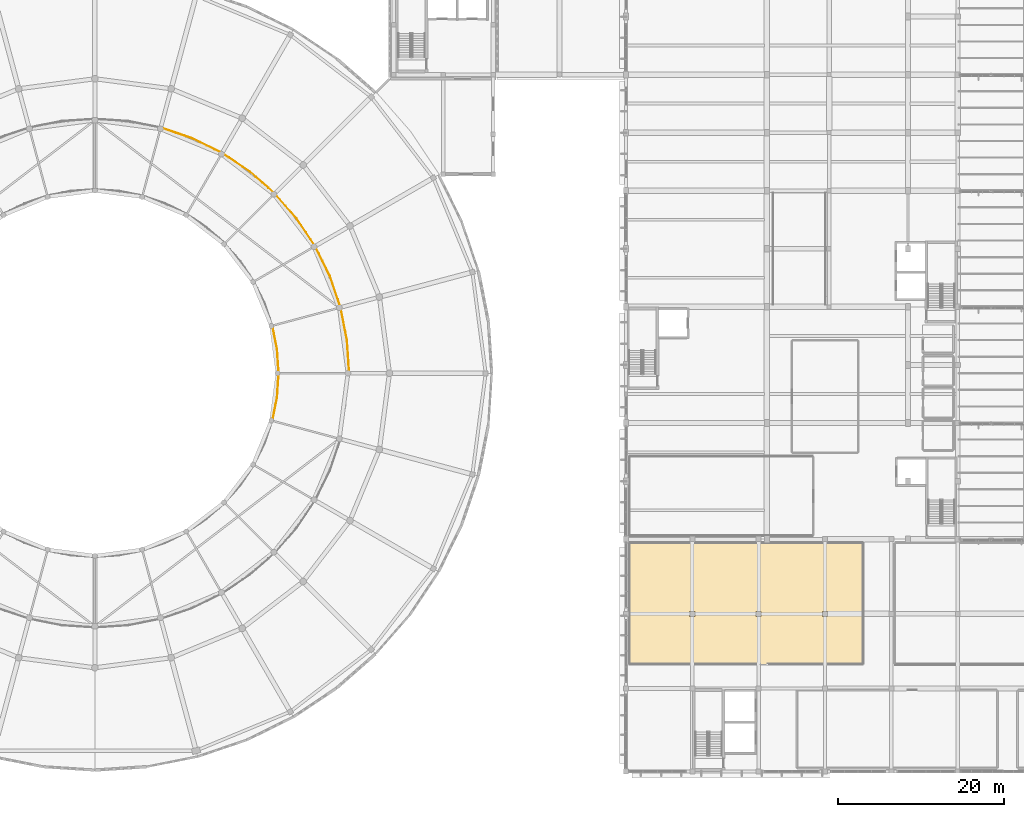
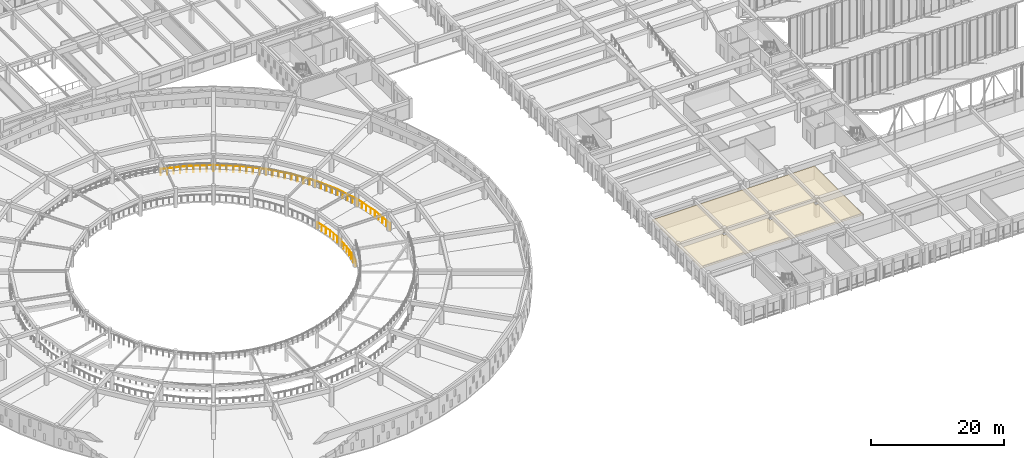
# One storey, part 132 of 155: 2 railings, 1 covering.
"""IFC4 building model written with IfcOpenShell, lengths in metres."""

from ifc_helpers import new_model, si_unit, direction, frame, origin, origin_2d, place, context, subcontext, project, spatial, polyline, circle, outline, extrude, material, layer, layer_set, type_object, element, save


model = new_model("IFC4")

# Units and contexts
model_context = context("Model", 3, precision=1e-05, world=origin(), true_north=direction((0.0, 1.0)))
body_context = subcontext(model_context, "Body", "Model", "MODEL_VIEW")
ifc_project = project(units=[si_unit("LENGTHUNIT", "METRE"), si_unit("AREAUNIT", "SQUARE_METRE"), si_unit("VOLUMEUNIT", "CUBIC_METRE"), si_unit("PLANEANGLEUNIT", "RADIAN"), si_unit("MASSUNIT", "GRAM", prefix="KILO")], contexts=[model_context])

# Site, building, storey
site_placement = place(None, origin())
site = spatial("IfcSite", under=ifc_project, at=site_placement, CompositionType="ELEMENT")
building_placement = place(site_placement, origin())
building = spatial("IfcBuilding", under=site, at=building_placement, Name="Larkveld Mobility Hub", CompositionType="ELEMENT")
storey_placement = place(building_placement, frame((0.0, 0.0, 8.39990234375)))
storey = spatial("IfcBuildingStorey", under=building, at=storey_placement, Name="L02", CompositionType="ELEMENT", Elevation=8.39990234375)

# Covering
ifc_material_1 = material(Name="Perforated mineral-fibre acoustic ceiling", Category="masonry")
ifc_layer = layer(ifc_material_1, 0.02001953125, Name="Perforated mineral-fibre acoustic ceiling", Category="masonry")
ifc_layer_set = layer_set([ifc_layer], Name="Perforated mineral-fibre acoustic ceiling")
covering_type = type_object("IfcCoveringType", Name="CV-CLG-020", PredefinedType="CEILING", material=ifc_layer_set)
covering_placement = place(storey_placement, frame((0.0, 0.0, 2.330078125)))
element("IfcCovering", 1, at=covering_placement, inside=storey, type_object=covering_type, Name="Integrated Transit Operations Control Centre Acoustic Ceiling 032", PredefinedType="CEILING", context=body_context, shape_type="SweptSolid", body=[
    extrude(outline(polyline([(112.4169921875, 12.8701171875), (112.4140625, 12.87109375), (112.410888671875, 12.87109375), (112.408935546875, 12.8720703125), (112.406005859375, 12.8740234375), (112.403076171875, 12.875), (112.40087890625, 12.876953125), (112.39892578125, 12.87890625), (112.37890625, 12.89892578125), (112.376953125, 12.90087890625), (112.375, 12.903076171875), (112.3740234375, 12.906005859375), (112.3720703125, 12.908935546875), (112.37109375, 12.910888671875), (112.37109375, 12.9140625), (112.3701171875, 12.9169921875), (112.3701171875, 12.919921875), (112.3701171875, 27.580078125), (112.3701171875, 27.5830078125), (112.37109375, 27.5859375), (112.3720703125, 27.590087890625), (112.373046875, 27.593017578125), (112.3740234375, 27.594970703125), (112.385009765625, 27.613037109375), (112.386962890625, 27.615966796875), (112.388916015625, 27.617919921875), (112.39111328125, 27.6201171875), (112.39306640625, 27.6220703125), (112.39599609375, 27.6240234375), (112.39892578125, 27.625), (112.40087890625, 27.6259765625), (112.404052734375, 27.626953125), (112.406982421875, 27.626953125), (112.410888671875, 27.6279296875), (128.695068359375, 27.62890625), (128.695068359375, 27.594970703125), (129.304931640625, 27.594970703125), (129.304931640625, 27.62890625), (140.580078125, 27.6298828125), (140.5830078125, 27.6298828125), (140.5849609375, 27.6298828125), (140.587890625, 27.62890625), (140.591064453125, 27.6279296875), (140.593017578125, 27.626953125), (140.594970703125, 27.6259765625), (140.613037109375, 27.614990234375), (140.615966796875, 27.613037109375), (140.617919921875, 27.611083984375), (140.6201171875, 27.60888671875), (140.6220703125, 27.60693359375), (140.6240234375, 27.60400390625), (140.625, 27.60107421875), (140.6259765625, 27.59912109375), (140.626953125, 27.595947265625), (140.626953125, 27.593017578125), (140.6279296875, 27.589111328125), (140.6298828125, 12.919921875), (140.6298828125, 12.9169921875), (140.6298828125, 12.9150390625), (140.62890625, 12.912109375), (140.6279296875, 12.908935546875), (140.626953125, 12.906982421875), (140.6259765625, 12.905029296875), (140.614990234375, 12.886962890625), (140.613037109375, 12.884033203125), (140.611083984375, 12.882080078125), (140.60888671875, 12.8798828125), (140.60693359375, 12.8779296875), (140.60400390625, 12.8759765625), (140.60107421875, 12.875), (140.59912109375, 12.8740234375), (140.595947265625, 12.873046875), (140.593017578125, 12.873046875), (140.589111328125, 12.8720703125), (112.419921875, 12.8701171875), (112.4169921875, 12.8701171875)]), holes=[polyline([(119.695068359375, 19.304931640625), (119.695068359375, 18.695068359375), (120.304931640625, 18.695068359375), (120.304931640625, 19.304931640625), (119.695068359375, 19.304931640625)]), polyline([(127.695068359375, 19.304931640625), (127.695068359375, 18.695068359375), (128.304931640625, 18.695068359375), (128.304931640625, 19.304931640625), (127.695068359375, 19.304931640625)]), polyline([(135.695068359375, 19.304931640625), (135.695068359375, 18.695068359375), (136.304931640625, 18.695068359375), (136.304931640625, 19.304931640625), (135.695068359375, 19.304931640625)])]), origin(), (0.0, 0.0, 1.0), 0.02001953125),
])

# Railings
ifc_material_2 = material(Name="Anodized aluminium 6063-T6 balustrade", Category="aluminium")
railing_type_1 = type_object("IfcRailingType", Name="RL-GRD-1150", PredefinedType="GUARDRAIL", material=ifc_material_2)
railing_1_placement = place(storey_placement, frame((78.64990234375, 48.0, 0.0)))
element("IfcRailing", 2, at=railing_1_placement, inside=storey, type_object=railing_type_1, Name="Drum Ramp Well Guardrail L02-042", PredefinedType="GUARDRAIL", context=body_context, shape_type="SweptSolid", body=[
    extrude(circle(Radius=0.02392578125, at=origin_2d()), frame((0.0, 0.0, 1.1259765625), z_axis=(-0.065334844062, 0.997863396539, 0.0), x_axis=(-0.997863396539, -0.065334844062, 0.0)), (0.0, 0.0, 1.0), 4.009521484375),
    extrude(circle(Radius=0.02392578125, at=origin_2d()), frame((-0.261962890625, 4.0009765625, 1.1259765625), z_axis=(-0.195050336869, 0.980793233096, 0.0), x_axis=(-0.980793233096, -0.195050336869, 0.0)), (0.0, 0.0, 1.0), 4.009033203125),
    extrude(circle(Radius=0.02392578125, at=origin_2d()), frame((-1.0439453125, 7.93310546875, 1.1259765625), z_axis=(-0.321557700371, 0.946889985865, 0.0), x_axis=(-0.946889985865, -0.321557700371, 0.0)), (0.0, 0.0, 1.0), 4.0087890625),
    extrude(circle(Radius=0.02392578125, at=origin_2d()), frame((-2.3330078125, 11.72900390625, 1.1259765625), z_axis=(-0.442213306217, 0.89690991287, 0.0), x_axis=(-0.89690991287, -0.442213306217, 0.0)), (0.0, 0.0, 1.0), 4.00927734375),
    extrude(circle(Radius=0.02392578125, at=origin_2d()), frame((-4.10595703125, 15.324951171875, 1.1259765625), z_axis=(-0.555627161516, 0.831431571078, 0.0), x_axis=(-0.831431571078, -0.555627161516, 0.0)), (0.0, 0.0, 1.0), 4.010009765625),
    extrude(circle(Radius=0.02392578125, at=origin_2d()), frame((-6.333984375, 18.658935546875, 1.1259765625), z_axis=(-0.65927174728, 0.75190475676, 0.0), x_axis=(-0.75190475676, -0.65927174728, 0.0)), (0.0, 0.0, 1.0), 4.0087890625),
    extrude(circle(Radius=0.02392578125, at=origin_2d()), frame((-8.976806640625, 21.673095703125, 1.1259765625), z_axis=(-0.75190475676, 0.65927174728, 0.0), x_axis=(-0.65927174728, -0.75190475676, 0.0)), (0.0, 0.0, 1.0), 4.0087890625),
    extrude(circle(Radius=0.02392578125, at=origin_2d()), frame((-11.990966796875, 24.31591796875, 1.1259765625), z_axis=(-0.831431571078, 0.555627161516, 0.0), x_axis=(-0.555627161516, -0.831431571078, 0.0)), (0.0, 0.0, 1.0), 4.010009765625),
    extrude(circle(Radius=0.02392578125, at=origin_2d()), frame((-15.324951171875, 26.5439453125, 1.1259765625), z_axis=(-0.89690991287, 0.442213306217, 0.0), x_axis=(-0.442213306217, -0.89690991287, 0.0)), (0.0, 0.0, 1.0), 4.00927734375),
    extrude(circle(Radius=0.02392578125, at=origin_2d()), frame((-18.9208984375, 28.31689453125, 1.1259765625), z_axis=(-0.946889985865, 0.321557700371, 0.0), x_axis=(-0.321557700371, -0.946889985865, 0.0)), (0.0, 0.0, 1.0), 4.0087890625),
    extrude(circle(Radius=0.02099609375, at=origin_2d()), origin(), (0.0, 0.0, 1.0), 1.101806640625),
    extrude(circle(Radius=0.02099609375, at=origin_2d()), frame((-0.0654296875, 1.000244140625, 0.0)), (0.0, 0.0, 1.0), 1.101806640625),
    extrude(circle(Radius=0.02099609375, at=origin_2d()), frame((-0.130859375, 2.00048828125, 0.0)), (0.0, 0.0, 1.0), 1.101806640625),
    extrude(circle(Radius=0.02099609375, at=origin_2d()), frame((-0.196533203125, 3.000732421875, 0.0)), (0.0, 0.0, 1.0), 1.101806640625),
    extrude(circle(Radius=0.02099609375, at=origin_2d()), frame((-0.261962890625, 4.0009765625, 0.0)), (0.0, 0.0, 1.0), 1.101806640625),
    extrude(circle(Radius=0.02099609375, at=origin_2d()), frame((-0.45751953125, 4.98388671875, 0.0)), (0.0, 0.0, 1.0), 1.101806640625),
    extrude(circle(Radius=0.02099609375, at=origin_2d()), frame((-0.65283203125, 5.967041015625, 0.0)), (0.0, 0.0, 1.0), 1.101806640625),
    extrude(circle(Radius=0.02099609375, at=origin_2d()), frame((-0.848388671875, 6.9501953125, 0.0)), (0.0, 0.0, 1.0), 1.101806640625),
    extrude(circle(Radius=0.02099609375, at=origin_2d()), frame((-1.0439453125, 7.93310546875, 0.0)), (0.0, 0.0, 1.0), 1.101806640625),
    extrude(circle(Radius=0.02099609375, at=origin_2d()), frame((-1.3662109375, 8.882080078125, 0.0)), (0.0, 0.0, 1.0), 1.101806640625),
    extrude(circle(Radius=0.02099609375, at=origin_2d()), frame((-1.6884765625, 9.8310546875, 0.0)), (0.0, 0.0, 1.0), 1.101806640625),
    extrude(circle(Radius=0.02099609375, at=origin_2d()), frame((-2.0107421875, 10.780029296875, 0.0)), (0.0, 0.0, 1.0), 1.101806640625),
    extrude(circle(Radius=0.02099609375, at=origin_2d()), frame((-2.3330078125, 11.72900390625, 0.0)), (0.0, 0.0, 1.0), 1.101806640625),
    extrude(circle(Radius=0.02099609375, at=origin_2d()), frame((-2.7763671875, 12.6279296875, 0.0)), (0.0, 0.0, 1.0), 1.101806640625),
    extrude(circle(Radius=0.02099609375, at=origin_2d()), frame((-3.219482421875, 13.52685546875, 0.0)), (0.0, 0.0, 1.0), 1.101806640625),
    extrude(circle(Radius=0.02099609375, at=origin_2d()), frame((-3.66259765625, 14.426025390625, 0.0)), (0.0, 0.0, 1.0), 1.101806640625),
    extrude(circle(Radius=0.02099609375, at=origin_2d()), frame((-4.10595703125, 15.324951171875, 0.0)), (0.0, 0.0, 1.0), 1.101806640625),
    extrude(circle(Radius=0.02099609375, at=origin_2d()), frame((-4.6630859375, 16.158447265625, 0.0)), (0.0, 0.0, 1.0), 1.101806640625),
    extrude(circle(Radius=0.02099609375, at=origin_2d()), frame((-5.219970703125, 16.991943359375, 0.0)), (0.0, 0.0, 1.0), 1.101806640625),
    extrude(circle(Radius=0.02099609375, at=origin_2d()), frame((-5.77685546875, 17.825439453125, 0.0)), (0.0, 0.0, 1.0), 1.101806640625),
    extrude(circle(Radius=0.02099609375, at=origin_2d()), frame((-6.333984375, 18.658935546875, 0.0)), (0.0, 0.0, 1.0), 1.101806640625),
    extrude(circle(Radius=0.02099609375, at=origin_2d()), frame((-6.99462890625, 19.41259765625, 0.0)), (0.0, 0.0, 1.0), 1.101806640625),
    extrude(circle(Radius=0.02099609375, at=origin_2d()), frame((-7.6552734375, 20.166015625, 0.0)), (0.0, 0.0, 1.0), 1.101806640625),
    extrude(circle(Radius=0.02099609375, at=origin_2d()), frame((-8.316162109375, 20.91943359375, 0.0)), (0.0, 0.0, 1.0), 1.101806640625),
    extrude(circle(Radius=0.02099609375, at=origin_2d()), frame((-8.976806640625, 21.673095703125, 0.0)), (0.0, 0.0, 1.0), 1.101806640625),
    extrude(circle(Radius=0.02099609375, at=origin_2d()), frame((-9.73046875, 22.333740234375, 0.0)), (0.0, 0.0, 1.0), 1.101806640625),
    extrude(circle(Radius=0.02099609375, at=origin_2d()), frame((-10.48388671875, 22.99462890625, 0.0)), (0.0, 0.0, 1.0), 1.101806640625),
    extrude(circle(Radius=0.02099609375, at=origin_2d()), frame((-11.2373046875, 23.6552734375, 0.0)), (0.0, 0.0, 1.0), 1.101806640625),
    extrude(circle(Radius=0.02099609375, at=origin_2d()), frame((-11.990966796875, 24.31591796875, 0.0)), (0.0, 0.0, 1.0), 1.101806640625),
    extrude(circle(Radius=0.02099609375, at=origin_2d()), frame((-12.824462890625, 24.873046875, 0.0)), (0.0, 0.0, 1.0), 1.101806640625),
    extrude(circle(Radius=0.02099609375, at=origin_2d()), frame((-13.657958984375, 25.429931640625, 0.0)), (0.0, 0.0, 1.0), 1.101806640625),
    extrude(circle(Radius=0.02099609375, at=origin_2d()), frame((-14.491455078125, 25.98681640625, 0.0)), (0.0, 0.0, 1.0), 1.101806640625),
    extrude(circle(Radius=0.02099609375, at=origin_2d()), frame((-15.324951171875, 26.5439453125, 0.0)), (0.0, 0.0, 1.0), 1.101806640625),
    extrude(circle(Radius=0.02099609375, at=origin_2d()), frame((-16.223876953125, 26.9873046875, 0.0)), (0.0, 0.0, 1.0), 1.101806640625),
    extrude(circle(Radius=0.02099609375, at=origin_2d()), frame((-17.123046875, 27.430419921875, 0.0)), (0.0, 0.0, 1.0), 1.101806640625),
    extrude(circle(Radius=0.02099609375, at=origin_2d()), frame((-18.02197265625, 27.87353515625, 0.0)), (0.0, 0.0, 1.0), 1.101806640625),
    extrude(circle(Radius=0.02099609375, at=origin_2d()), frame((-18.9208984375, 28.31689453125, 0.0)), (0.0, 0.0, 1.0), 1.101806640625),
    extrude(circle(Radius=0.02099609375, at=origin_2d()), frame((-19.869873046875, 28.63916015625, 0.0)), (0.0, 0.0, 1.0), 1.101806640625),
    extrude(circle(Radius=0.02099609375, at=origin_2d()), frame((-20.81884765625, 28.96142578125, 0.0)), (0.0, 0.0, 1.0), 1.101806640625),
    extrude(circle(Radius=0.02099609375, at=origin_2d()), frame((-21.767822265625, 29.28369140625, 0.0)), (0.0, 0.0, 1.0), 1.101806640625),
    extrude(circle(Radius=0.02099609375, at=origin_2d()), frame((-22.716796875, 29.60595703125, 0.0)), (0.0, 0.0, 1.0), 1.101806640625),
])
ifc_material_3 = material(Name="Galvanized Steel S355JR vehicle-deck guard", Category="steel")
railing_type_2 = type_object("IfcRailingType", Name="RL-GRD-RMP", PredefinedType="GUARDRAIL", material=ifc_material_3)
railing_2_placement = place(storey_placement, frame((69.39501953125, 42.26708984375, 0.0)))
element("IfcRailing", 3, at=railing_2_placement, inside=storey, type_object=railing_type_2, Name="Helical Throat Inner Guard L02-014", PredefinedType="GUARDRAIL", context=body_context, shape_type="SweptSolid", body=[
    extrude(circle(Radius=0.02392578125, at=origin_2d()), frame((0.0, 0.0, 1.1259765625), z_axis=(0.195305912265, 0.980742372203, 0.0), x_axis=(-0.980742372203, 0.195305912265, 0.0)), (0.0, 0.0, 1.0), 2.897705078125),
    extrude(circle(Radius=0.02392578125, at=origin_2d()), frame((0.56591796875, 2.841796875, 1.1259765625), z_axis=(0.065221416326, 0.997870816715, 0.0), x_axis=(-0.997870816715, 0.065221416326, 0.0)), (0.0, 0.0, 1.0), 2.897216796875),
    extrude(circle(Radius=0.02392578125, at=origin_2d()), frame((0.7548828125, 5.73291015625, 1.1259765625), z_axis=(-0.065221416326, 0.997870816715, 0.0), x_axis=(-0.997870816715, -0.065221416326, 0.0)), (0.0, 0.0, 1.0), 2.897216796875),
    extrude(circle(Radius=0.02392578125, at=origin_2d()), frame((0.56591796875, 8.6240234375, 1.1259765625), z_axis=(-0.195305912265, 0.980742372203, 0.0), x_axis=(-0.980742372203, -0.195305912265, 0.0)), (0.0, 0.0, 1.0), 2.897705078125),
    extrude(circle(Radius=0.02099609375, at=origin_2d()), origin(), (0.0, 0.0, 1.0), 1.101806640625),
    extrude(circle(Radius=0.02099609375, at=origin_2d()), frame((0.188720703125, 0.947265625, 0.0)), (0.0, 0.0, 1.0), 1.101806640625),
    extrude(circle(Radius=0.02099609375, at=origin_2d()), frame((0.377197265625, 1.89453125, 0.0)), (0.0, 0.0, 1.0), 1.101806640625),
    extrude(circle(Radius=0.02099609375, at=origin_2d()), frame((0.56591796875, 2.841796875, 0.0)), (0.0, 0.0, 1.0), 1.101806640625),
    extrude(circle(Radius=0.02099609375, at=origin_2d()), frame((0.62890625, 3.805419921875, 0.0)), (0.0, 0.0, 1.0), 1.101806640625),
    extrude(circle(Radius=0.02099609375, at=origin_2d()), frame((0.69189453125, 4.769287109375, 0.0)), (0.0, 0.0, 1.0), 1.101806640625),
    extrude(circle(Radius=0.02099609375, at=origin_2d()), frame((0.7548828125, 5.73291015625, 0.0)), (0.0, 0.0, 1.0), 1.101806640625),
    extrude(circle(Radius=0.02099609375, at=origin_2d()), frame((0.69189453125, 6.696533203125, 0.0)), (0.0, 0.0, 1.0), 1.101806640625),
    extrude(circle(Radius=0.02099609375, at=origin_2d()), frame((0.62890625, 7.660400390625, 0.0)), (0.0, 0.0, 1.0), 1.101806640625),
    extrude(circle(Radius=0.02099609375, at=origin_2d()), frame((0.56591796875, 8.6240234375, 0.0)), (0.0, 0.0, 1.0), 1.101806640625),
    extrude(circle(Radius=0.02099609375, at=origin_2d()), frame((0.377197265625, 9.5712890625, 0.0)), (0.0, 0.0, 1.0), 1.101806640625),
    extrude(circle(Radius=0.02099609375, at=origin_2d()), frame((0.188720703125, 10.5185546875, 0.0)), (0.0, 0.0, 1.0), 1.101806640625),
    extrude(circle(Radius=0.02099609375, at=origin_2d()), frame((0.0, 11.4658203125, 0.0)), (0.0, 0.0, 1.0), 1.101806640625),
])

save(model, "model.ifc")
